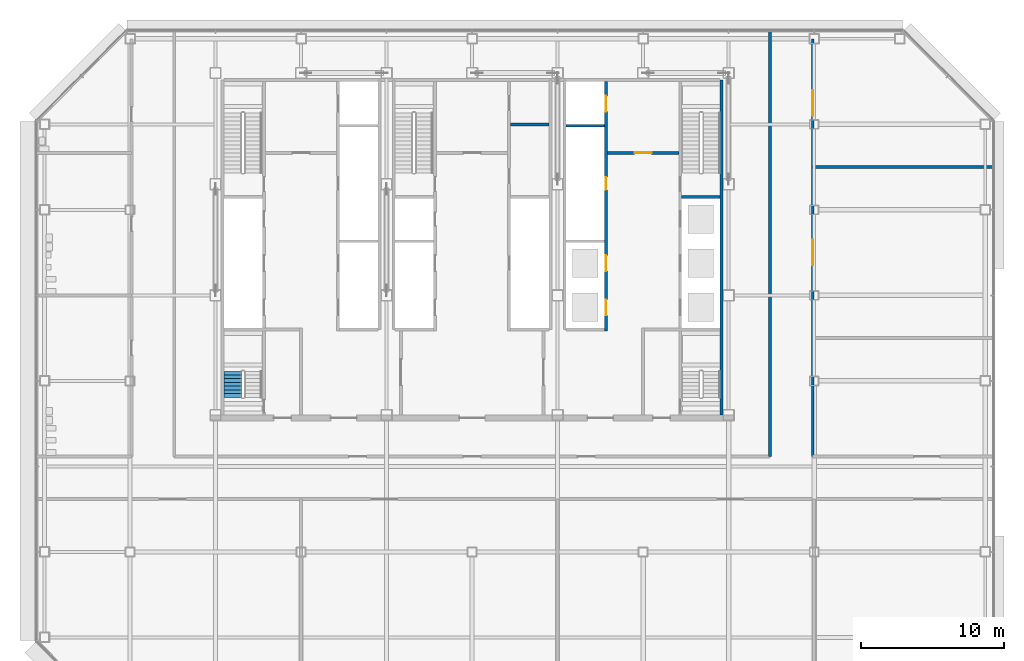
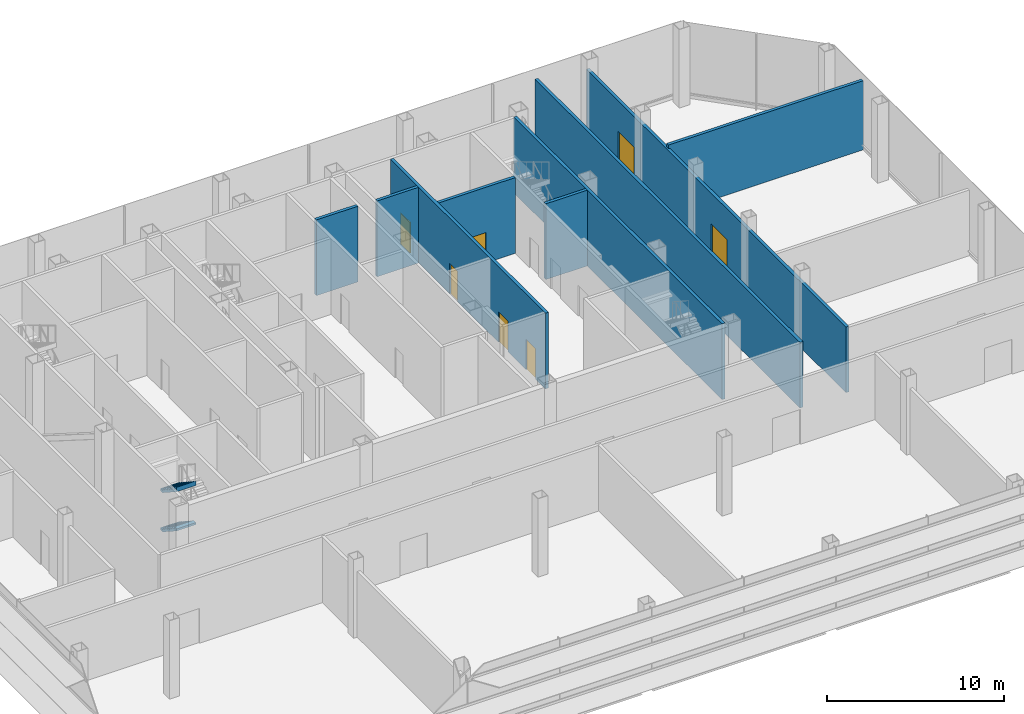
# One storey, part 18 of 24: 9 walls, 7 doors, 2 stair flights, 7 openings, 1 element without a shape of its own.
"""IFC4 building model written with IfcOpenShell, lengths in metres."""

from ifc_helpers import new_model, si_unit, direction, frame, frame_2d, origin, place, context, subcontext, project, spatial, polyline, rectangle, outline, extrude, material, layer, layer_set, type_object, element, fill, aggregate, save


model = new_model("IFC4")

# Units and contexts
model_context = context("Model", 3, precision=1e-05, world=origin(), true_north=direction((0.0, 1.0)))
body_context = subcontext(model_context, "Body", "Model", "MODEL_VIEW")
ifc_project = project(units=[si_unit("LENGTHUNIT", "METRE"), si_unit("AREAUNIT", "SQUARE_METRE"), si_unit("VOLUMEUNIT", "CUBIC_METRE"), si_unit("PLANEANGLEUNIT", "RADIAN"), si_unit("MASSUNIT", "GRAM", prefix="KILO")], contexts=[model_context])

# Site, building, storey
site_placement = place(None, origin())
site = spatial("IfcSite", under=ifc_project, at=site_placement, CompositionType="ELEMENT")
building_placement = place(site_placement, origin())
building = spatial("IfcBuilding", under=site, at=building_placement, Name="Sorahane Residences", CompositionType="ELEMENT")
storey_placement = place(building_placement, frame((0.0, 0.0, 161.800048828125)))
storey = spatial("IfcBuildingStorey", under=building, at=storey_placement, Name="L37", CompositionType="ELEMENT", Elevation=161.800048828125)

# Walls
ifc_material_1 = material(Name="Concrete C30", Category="concrete")
ifc_layer_1 = layer(ifc_material_1, 0.199951171875)
ifc_layer_set_1 = layer_set([ifc_layer_1], Name="Core face wall 200 EI 180")
wall_type_1 = type_object("IfcWallType", Name="Core face wall 200 EI 180", PredefinedType="SOLIDWALL", material=ifc_layer_set_1)
wall_1_placement = place(storey_placement, frame((41.5, 21.60009765625, 0.0), z_axis=(0.0, 0.0, 1.0), x_axis=(0.0, 1.0, 0.0)))
element("IfcWall", 1, at=wall_1_placement, inside=storey, type_object=wall_type_1, Name="L37 core face wall", PredefinedType="SOLIDWALL", context=body_context, shape_type="SweptSolid", body=[
    extrude(rectangle(XDim=23.5, YDim=0.199951171875, at=frame_2d((11.75, 0.0))), origin(), (0.0, 0.0, 1.0), 5.219970703125),
])
ifc_material_2 = material(Name="Concrete blockwork C20 wall", Category="masonry")
ifc_layer_2 = layer(ifc_material_2, 0.199951171875)
ifc_layer_set_2 = layer_set([ifc_layer_2], Name="Corridor wall 200 EI 120")
wall_type_2 = type_object("IfcWallType", Name="Corridor wall 200 EI 120", PredefinedType="SOLIDWALL", material=ifc_layer_set_2)
wall_2_placement = place(storey_placement, frame((44.89990234375, 18.699951171875, 0.0), z_axis=(0.0, 0.0, 1.0), x_axis=(0.0, 1.0, 0.0)))
element("IfcWall", 2, at=wall_2_placement, inside=storey, type_object=wall_type_2, Name="L37 corridor wall", PredefinedType="SOLIDWALL", context=body_context, shape_type="SweptSolid", body=[
    extrude(rectangle(XDim=29.900146484375, YDim=0.199951171875, at=frame_2d((14.9501953125, 0.0))), origin(), (0.0, 0.0, 1.0), 4.52001953125),
])

# Wall, openings, doors
wall_3_placement = place(storey_placement, frame((47.89990234375, 18.699951171875, 0.0), z_axis=(0.0, 0.0, 1.0), x_axis=(0.0, 1.0, 0.0)))
wall_3 = element("IfcWall", 3, at=wall_3_placement, inside=storey, type_object=wall_type_2, Name="L37 corridor wall", PredefinedType="SOLIDWALL", context=body_context, shape_type="SweptSolid", body=[
    extrude(rectangle(XDim=29.300048828125, YDim=0.199951171875, at=frame_2d((14.64990234375, 0.0))), origin(), (0.0, 0.0, 1.0), 4.52001953125),
])
opening_1_placement = place(wall_3_placement, frame((13.39990234375, 0.0, 0.0)))
opening_1 = element("IfcOpeningElement", 4, at=opening_1_placement, cuts=wall_3, Name="Opening L37-09", PredefinedType="OPENING", context=body_context, shape_type="SweptSolid", body=[
    extrude(rectangle(XDim=1.800048828125, YDim=2.39990234375, at=frame_2d((0.89990234375, 1.199951171875))), frame((0.0, 0.10986328125, 0.0), z_axis=(0.0, -1.0, 0.0), x_axis=(1.0, 0.0, 0.0)), (0.0, 0.0, 1.0), 0.219970703125),
])
opening_2_placement = place(wall_3_placement, frame((23.89990234375, 0.0, 0.0)))
opening_2 = element("IfcOpeningElement", 5, at=opening_2_placement, cuts=wall_3, Name="Opening L37-10", PredefinedType="OPENING", context=body_context, shape_type="SweptSolid", body=[
    extrude(rectangle(XDim=1.800048828125, YDim=2.39990234375, at=frame_2d((0.89990234375, 1.199951171875))), frame((0.0, 0.10986328125, 0.0), z_axis=(0.0, -1.0, 0.0), x_axis=(1.0, 0.0, 0.0)), (0.0, 0.0, 1.0), 0.219970703125),
])
ifc_material_3 = material(Name="Timber veneered fire door", Category="wood")
door_type_1 = type_object("IfcDoorType", Name="Double door 1800x2400 FD30", OperationType="NOTDEFINED", PredefinedType="DOOR", material=ifc_material_3)
door_1_placement = place(opening_1_placement, origin())
door_1 = element("IfcDoor", 6, at=door_1_placement, inside=storey, type_object=door_type_1, Name="Double door L37-09", OperationType="SINGLE_SWING_LEFT", OverallHeight=2.39990234375, OverallWidth=1.800048828125, PredefinedType="DOOR", context=body_context, shape_type="SweptSolid", body=[
    extrude(rectangle(XDim=1.800048828125, YDim=2.39990234375, at=frame_2d((0.89990234375, 1.199951171875))), frame((0.0, 0.02490234375, 0.0), z_axis=(0.0, -1.0, 0.0), x_axis=(1.0, 0.0, 0.0)), (0.0, 0.0, 1.0), 0.050048828125),
])
fill(opening_1, door_1)
door_2_placement = place(opening_2_placement, frame((1.800048828125, 0.0, 0.0), z_axis=(0.0, 0.0, 1.0), x_axis=(-1.0, 0.0, 0.0)))
door_2 = element("IfcDoor", 7, at=door_2_placement, inside=storey, type_object=door_type_1, Name="Double door L37-10", OperationType="SINGLE_SWING_RIGHT", OverallHeight=2.39990234375, OverallWidth=1.800048828125, PredefinedType="DOOR", context=body_context, shape_type="SweptSolid", body=[
    extrude(rectangle(XDim=1.800048828125, YDim=2.39990234375, at=frame_2d((0.89990234375, 1.199951171875))), frame((0.0, 0.02490234375, 0.0), z_axis=(0.0, -1.0, 0.0), x_axis=(1.0, 0.0, 0.0)), (0.0, 0.0, 1.0), 0.050048828125),
])
fill(opening_2, door_2)

# Wall
wall_4_placement = place(storey_placement, frame((47.89990234375, 39.0, 0.0), z_axis=(0.0, 0.0, 1.0), x_axis=(1.0, 0.0, 0.0)))
element("IfcWall", 8, at=wall_4_placement, inside=storey, type_object=wall_type_2, Name="L37 corridor wall", PredefinedType="SOLIDWALL", context=body_context, shape_type="SweptSolid", body=[
    extrude(rectangle(XDim=12.7001953125, YDim=0.199951171875, at=frame_2d((6.35009765625, 0.0))), origin(), (0.0, 0.0, 1.0), 4.77001953125),
])

# Wall, opening, door
ifc_material_4 = material(Name="Concrete C30", Category="concrete")
ifc_layer_3 = layer(ifc_material_4, 0.199951171875)
ifc_layer_set_3 = layer_set([ifc_layer_3], Name="Front room wall 200 EI 120")
wall_type_3 = type_object("IfcWallType", Name="Front room wall 200 EI 120", PredefinedType="PARTITIONING", material=ifc_layer_set_3)
wall_5_placement = place(storey_placement, frame((33.5, 40.0, 0.0), z_axis=(0.0, 0.0, 1.0), x_axis=(1.0, 0.0, 0.0)))
wall_5 = element("IfcWall", 9, at=wall_5_placement, inside=storey, type_object=wall_type_3, Name="L37 front room wall", PredefinedType="PARTITIONING", context=body_context, shape_type="SweptSolid", body=[
    extrude(rectangle(XDim=5.0, YDim=0.199951171875, at=frame_2d((2.5, 0.0))), origin(), (0.0, 0.0, 1.0), 5.219970703125),
])
opening_3_placement = place(wall_5_placement, frame((1.89990234375, 0.0, 0.0)))
opening_3 = element("IfcOpeningElement", 10, at=opening_3_placement, cuts=wall_5, Name="Opening L37-C10", PredefinedType="OPENING", context=body_context, shape_type="SweptSolid", body=[
    extrude(rectangle(XDim=1.199951171875, YDim=2.10009765625, at=frame_2d((0.60009765625, 1.050048828125))), frame((0.0, 0.10986328125, 0.0), z_axis=(0.0, -1.0, 0.0), x_axis=(1.0, 0.0, 0.0)), (0.0, 0.0, 1.0), 0.219970703125),
])
ifc_material_5 = material(Name="Steel", Category="steel")
door_type_2 = type_object("IfcDoorType", Name="Front room door 1200x2100 FD120", OperationType="NOTDEFINED", PredefinedType="DOOR", material=ifc_material_5)
door_3_placement = place(opening_3_placement, frame((1.199951171875, 0.0, 0.0), z_axis=(0.0, 0.0, 1.0), x_axis=(-1.0, 0.0, 0.0)))
door_3 = element("IfcDoor", 11, at=door_3_placement, inside=storey, type_object=door_type_2, Name="Front room door Firefighting lobby FF2 front room L37", OperationType="DOUBLE_DOOR_SINGLE_SWING", OverallHeight=2.10009765625, OverallWidth=1.199951171875, PredefinedType="DOOR", context=body_context, shape_type="SweptSolid", body=[
    extrude(rectangle(XDim=1.199951171875, YDim=2.10009765625, at=frame_2d((0.60009765625, 1.050048828125))), frame((0.0, 0.02490234375, 0.0), z_axis=(0.0, -1.0, 0.0), x_axis=(1.0, 0.0, 0.0)), (0.0, 0.0, 1.0), 0.050048828125),
])
fill(opening_3, door_3)

# Wall, openings, doors
ifc_material_6 = material(Name="Concrete C30", Category="concrete")
ifc_layer_4 = layer(ifc_material_6, 0.199951171875)
ifc_layer_set_4 = layer_set([ifc_layer_4], Name="Lift shaft wall 200 EI 120")
wall_type_4 = type_object("IfcWallType", Name="Lift shaft wall 200 EI 120", PredefinedType="SOLIDWALL", material=ifc_layer_set_4)
wall_6_placement = place(storey_placement, frame((33.39990234375, 27.5, 0.0), z_axis=(0.0, 0.0, 1.0), x_axis=(0.0, 1.0, 0.0)))
wall_6 = element("IfcWall", 12, at=wall_6_placement, inside=storey, type_object=wall_type_4, Name="L37 lift shaft wall", PredefinedType="SOLIDWALL", context=body_context, shape_type="SweptSolid", body=[
    extrude(rectangle(XDim=17.5, YDim=0.199951171875, at=frame_2d((8.75, 0.0))), origin(), (0.0, 0.0, 1.0), 5.219970703125),
])
opening_4_placement = place(wall_6_placement, frame((1.10009765625, 0.0, 0.0)))
opening_4 = element("IfcOpeningElement", 13, at=opening_4_placement, cuts=wall_6, Name="Opening L37-C16", PredefinedType="OPENING", context=body_context, shape_type="SweptSolid", body=[
    extrude(rectangle(XDim=1.10009765625, YDim=2.10009765625, at=frame_2d((0.550048828125, 1.050048828125))), frame((0.0, 0.10986328125, 0.0), z_axis=(0.0, -1.0, 0.0), x_axis=(1.0, 0.0, 0.0)), (0.0, 0.0, 1.0), 0.219970703125),
])
opening_5_placement = place(wall_6_placement, frame((4.199951171875, 0.0, 0.0)))
opening_5 = element("IfcOpeningElement", 14, at=opening_5_placement, cuts=wall_6, Name="Opening L37-C17", PredefinedType="OPENING", context=body_context, shape_type="SweptSolid", body=[
    extrude(rectangle(XDim=1.10009765625, YDim=2.10009765625, at=frame_2d((0.550048828125, 1.050048828125))), frame((0.0, 0.10986328125, 0.0), z_axis=(0.0, -1.0, 0.0), x_axis=(1.0, 0.0, 0.0)), (0.0, 0.0, 1.0), 0.219970703125),
])
opening_6_placement = place(wall_6_placement, frame((15.39990234375, 0.0, 0.0)))
opening_6 = element("IfcOpeningElement", 15, at=opening_6_placement, cuts=wall_6, Name="Opening L37-C18", PredefinedType="OPENING", context=body_context, shape_type="SweptSolid", body=[
    extrude(rectangle(XDim=1.10009765625, YDim=2.10009765625, at=frame_2d((0.550048828125, 1.050048828125))), frame((0.0, 0.10986328125, 0.0), z_axis=(0.0, -1.0, 0.0), x_axis=(1.0, 0.0, 0.0)), (0.0, 0.0, 1.0), 0.219970703125),
])
opening_7_placement = place(wall_6_placement, frame((9.89990234375, 0.0, 0.0)))
opening_7 = element("IfcOpeningElement", 16, at=opening_7_placement, cuts=wall_6, Name="Opening L37-C31", PredefinedType="OPENING", context=body_context, shape_type="SweptSolid", body=[
    extrude(rectangle(XDim=0.89990234375, YDim=2.10009765625, at=frame_2d((0.449951171875, 1.050048828125))), frame((0.0, 0.10986328125, 0.0), z_axis=(0.0, -1.0, 0.0), x_axis=(1.0, 0.0, 0.0)), (0.0, 0.0, 1.0), 0.219970703125),
])
ifc_material_7 = material(Name="Aluminium and stainless steel", Category="steel")
door_type_3 = type_object("IfcDoorType", Name="Lift landing door 1100x2100 E 60", OperationType="NOTDEFINED", PredefinedType="DOOR", material=ifc_material_7)
door_4_placement = place(opening_4_placement, origin())
door_4 = element("IfcDoor", 17, at=door_4_placement, inside=storey, type_object=door_type_3, Name="Lift landing door HR4 L37", OperationType="DOUBLE_DOOR_SLIDING", OverallHeight=2.10009765625, OverallWidth=1.10009765625, PredefinedType="DOOR", context=body_context, shape_type="SweptSolid", body=[
    extrude(rectangle(XDim=1.10009765625, YDim=2.10009765625, at=frame_2d((0.550048828125, 1.050048828125))), frame((0.0, 0.02490234375, 0.0), z_axis=(0.0, -1.0, 0.0), x_axis=(1.0, 0.0, 0.0)), (0.0, 0.0, 1.0), 0.050048828125),
])
fill(opening_4, door_4)
door_5_placement = place(opening_5_placement, origin())
door_5 = element("IfcDoor", 18, at=door_5_placement, inside=storey, type_object=door_type_3, Name="Lift landing door HR5 L37", OperationType="DOUBLE_DOOR_SLIDING", OverallHeight=2.10009765625, OverallWidth=1.10009765625, PredefinedType="DOOR", context=body_context, shape_type="SweptSolid", body=[
    extrude(rectangle(XDim=1.10009765625, YDim=2.10009765625, at=frame_2d((0.550048828125, 1.050048828125))), frame((0.0, 0.02490234375, 0.0), z_axis=(0.0, -1.0, 0.0), x_axis=(1.0, 0.0, 0.0)), (0.0, 0.0, 1.0), 0.050048828125),
])
fill(opening_5, door_5)
door_6_placement = place(opening_6_placement, origin())
door_6 = element("IfcDoor", 19, at=door_6_placement, inside=storey, type_object=door_type_3, Name="Lift landing door FF2 L37", OperationType="DOUBLE_DOOR_SLIDING", OverallHeight=2.10009765625, OverallWidth=1.10009765625, PredefinedType="DOOR", context=body_context, shape_type="SweptSolid", body=[
    extrude(rectangle(XDim=1.10009765625, YDim=2.10009765625, at=frame_2d((0.550048828125, 1.050048828125))), frame((0.0, 0.02490234375, 0.0), z_axis=(0.0, -1.0, 0.0), x_axis=(1.0, 0.0, 0.0)), (0.0, 0.0, 1.0), 0.050048828125),
])
fill(opening_6, door_6)
ifc_material_8 = material(Name="Steel", Category="steel")
door_type_4 = type_object("IfcDoorType", Name="Riser door 900x2100 FD120", OperationType="NOTDEFINED", PredefinedType="DOOR", material=ifc_material_8)
door_7_placement = place(opening_7_placement, frame((0.89990234375, 0.0, 0.0), z_axis=(0.0, 0.0, 1.0), x_axis=(-1.0, 0.0, 0.0)))
door_7 = element("IfcDoor", 20, at=door_7_placement, inside=storey, type_object=door_type_4, Name="Riser door R2 L37", OperationType="SINGLE_SWING_LEFT", OverallHeight=2.10009765625, OverallWidth=0.89990234375, PredefinedType="DOOR", context=body_context, shape_type="SweptSolid", body=[
    extrude(rectangle(XDim=0.89990234375, YDim=2.10009765625, at=frame_2d((0.449951171875, 1.050048828125))), frame((0.0, 0.02490234375, 0.0), z_axis=(0.0, -1.0, 0.0), x_axis=(1.0, 0.0, 0.0)), (0.0, 0.0, 1.0), 0.050048828125),
])
fill(opening_7, door_7)

# Walls
wall_7_placement = place(storey_placement, frame((30.60009765625, 41.89990234375, 0.0), z_axis=(0.0, 0.0, 1.0), x_axis=(1.0, 0.0, 0.0)))
element("IfcWall", 21, at=wall_7_placement, inside=storey, type_object=wall_type_4, Name="L37 lift shaft wall", PredefinedType="SOLIDWALL", context=body_context, shape_type="SweptSolid", body=[
    extrude(rectangle(XDim=2.699951171875, YDim=0.199951171875, at=frame_2d((1.35009765625, 0.0))), origin(), (0.0, 0.0, 1.0), 5.219970703125),
])
ifc_material_9 = material(Name="Concrete C30", Category="concrete")
ifc_layer_5 = layer(ifc_material_9, 0.199951171875)
ifc_layer_set_5 = layer_set([ifc_layer_5], Name="Service room partition 200 EI 60")
wall_type_5 = type_object("IfcWallType", Name="Service room partition 200 EI 60", PredefinedType="PARTITIONING", material=ifc_layer_set_5)
wall_8_placement = place(storey_placement, frame((26.699951171875, 42.0, 0.0), z_axis=(0.0, 0.0, 1.0), x_axis=(1.0, 0.0, 0.0)))
element("IfcWall", 22, at=wall_8_placement, inside=storey, type_object=wall_type_5, Name="L37 service room wall", PredefinedType="PARTITIONING", context=body_context, shape_type="SweptSolid", body=[
    extrude(rectangle(XDim=2.699951171875, YDim=0.199951171875, at=frame_2d((1.35009765625, 0.0))), origin(), (0.0, 0.0, 1.0), 5.219970703125),
])
ifc_material_10 = material(Name="Concrete C30", Category="concrete")
ifc_layer_6 = layer(ifc_material_10, 0.199951171875)
ifc_layer_set_6 = layer_set([ifc_layer_6], Name="Stair enclosure wall 200 EI 120")
wall_type_6 = type_object("IfcWallType", Name="Stair enclosure wall 200 EI 120", PredefinedType="SOLIDWALL", material=ifc_layer_set_6)
wall_9_placement = place(storey_placement, frame((38.699951171875, 36.89990234375, 0.0), z_axis=(0.0, 0.0, 1.0), x_axis=(1.0, 0.0, 0.0)))
element("IfcWall", 23, at=wall_9_placement, inside=storey, type_object=wall_type_6, Name="L37 stair enclosure wall", PredefinedType="SOLIDWALL", context=body_context, shape_type="SweptSolid", body=[
    extrude(rectangle(XDim=2.699951171875, YDim=0.199951171875, at=frame_2d((1.35009765625, 0.0))), origin(), (0.0, 0.0, 1.0), 5.219970703125),
])

# Stair, stair flights
ifc_material_11 = material(Name="Concrete C40", Category="concrete")
stair_type = type_object("IfcStairType", Name="Dog-leg stair 1250 Concrete C40", PredefinedType="HALF_TURN_STAIR", material=ifc_material_11)
stair_placement = place(storey_placement, origin())
stair = element("IfcStair", 24, at=stair_placement, inside=storey, type_object=stair_type, Name="L37 Stair S4", PredefinedType="HALF_TURN_STAIR")
ifc_material_12 = material(Name="Concrete C40", Category="concrete")
stair_flight_type = type_object("IfcStairFlightType", Name="Stair flight 1250 Concrete C40", PredefinedType="STRAIGHT", material=ifc_material_12)
stair_flight_1_placement = place(storey_placement, frame((7.22509765625, 24.669921875, 1.349853515625), z_axis=(0.0, 0.0, 1.0), x_axis=(0.0, -1.0, 0.0)))
stair_flight_1 = element("IfcStairFlight", 25, at=stair_flight_1_placement, type_object=stair_flight_type, Name="S4 flight 2", NumberOfRisers=8, NumberOfTreads=7, PredefinedType="STRAIGHT", RiserHeight=0.16875, TreadLength=0.26, context=body_context, shape_type="SweptSolid", body=[
    extrude(outline(polyline([(0.0, 0.0), (0.0, 0.002197265625), (0.0, 0.004150390625), (0.0, 0.00634765625), (0.0, 0.00830078125), (0.0, 0.010498046875), (0.0, 0.012451171875), (0.0, 0.0146484375), (0.0, 0.0166015625), (0.0, 0.018798828125), (0.0, 0.020751953125), (0.0, 0.02294921875), (0.0, 0.02490234375), (0.0, 0.027099609375), (0.0, 0.029052734375), (0.0, 0.03125), (0.0, 0.033447265625), (0.0, 0.035400390625), (0.0, 0.03759765625), (0.0, 0.03955078125), (0.0, 0.041748046875), (0.0, 0.043701171875), (0.0, 0.0458984375), (0.0, 0.0478515625), (0.0, 0.050048828125), (0.0, 0.052001953125), (0.0, 0.05419921875), (0.0, 0.05615234375), (0.0, 0.058349609375), (0.0, 0.060302734375), (0.0, 0.0625), (0.0, 0.064697265625), (0.0, 0.066650390625), (0.0, 0.06884765625), (0.0, 0.07080078125), (0.0, 0.072998046875), (0.0, 0.074951171875), (0.0, 0.0771484375), (0.0, 0.0791015625), (0.0, 0.081298828125), (0.0, 0.083251953125), (0.0, 0.08544921875), (0.0, 0.08740234375), (0.0, 0.089599609375), (0.0, 0.091552734375), (0.0, 0.09375), (0.0, 0.095947265625), (0.0, 0.097900390625), (0.0, 0.10009765625), (0.0, 0.10205078125), (0.0, 0.104248046875), (0.0, 0.106201171875), (0.0, 0.1083984375), (0.0, 0.1103515625), (0.0, 0.112548828125), (0.0, 0.114501953125), (0.0, 0.11669921875), (0.0, 0.11865234375), (0.0, 0.120849609375), (0.0, 0.122802734375), (0.0, 0.125), (0.0, 0.127197265625), (0.0, 0.129150390625), (0.0, 0.13134765625), (0.0, 0.13330078125), (0.0, 0.135498046875), (0.0, 0.137451171875), (0.0, 0.1396484375), (0.0, 0.1416015625), (0.0, 0.143798828125), (0.0, 0.145751953125), (0.0, 0.14794921875), (0.0, 0.14990234375), (0.0, 0.152099609375), (0.0, 0.154052734375), (0.0, 0.15625), (0.0, 0.158447265625), (0.0, 0.160400390625), (0.0, 0.16259765625), (0.0, 0.16455078125), (0.0, 0.166748046875), (0.0, 0.168701171875), (0.260009765625, 0.168701171875), (0.260009765625, 0.33740234375), (0.52001953125, 0.33740234375), (0.52001953125, 0.50634765625), (0.780029296875, 0.50634765625), (0.780029296875, 0.675048828125), (1.0400390625, 0.675048828125), (1.0400390625, 0.84375), (1.300048828125, 0.84375), (1.300048828125, 1.012451171875), (1.56005859375, 1.012451171875), (1.56005859375, 1.18115234375), (1.820068359375, 1.18115234375), (1.820068359375, 1.35009765625), (1.820068359375, 1.34619140625), (1.820068359375, 1.34228515625), (1.820068359375, 1.33837890625), (1.820068359375, 1.334716796875), (1.820068359375, 1.330810546875), (1.820068359375, 1.326904296875), (1.820068359375, 1.322998046875), (1.820068359375, 1.319091796875), (1.820068359375, 1.3154296875), (1.820068359375, 1.3115234375), (1.820068359375, 1.3076171875), (1.820068359375, 1.3037109375), (1.820068359375, 1.300048828125), (1.820068359375, 1.296142578125), (1.820068359375, 1.292236328125), (1.820068359375, 1.288330078125), (1.820068359375, 1.284423828125), (1.820068359375, 1.28076171875), (1.820068359375, 1.27685546875), (1.820068359375, 1.27294921875), (1.820068359375, 1.26904296875), (1.820068359375, 1.265380859375), (1.820068359375, 1.261474609375), (1.820068359375, 1.257568359375), (1.820068359375, 1.253662109375), (1.820068359375, 1.249755859375), (1.820068359375, 1.24609375), (1.820068359375, 1.2421875), (1.820068359375, 1.23828125), (1.820068359375, 1.234375), (1.820068359375, 1.230712890625), (1.820068359375, 1.226806640625), (1.820068359375, 1.222900390625), (1.820068359375, 1.218994140625), (1.820068359375, 1.215087890625), (1.820068359375, 1.21142578125), (1.820068359375, 1.20751953125), (1.820068359375, 1.20361328125), (1.820068359375, 1.19970703125), (1.820068359375, 1.196044921875), (1.820068359375, 1.192138671875), (1.820068359375, 1.188232421875), (1.820068359375, 1.184326171875), (1.820068359375, 1.1806640625), (1.820068359375, 1.1767578125), (1.820068359375, 1.1728515625), (1.820068359375, 1.1689453125), (1.820068359375, 1.1650390625), (1.820068359375, 1.161376953125), (1.820068359375, 1.157470703125), (1.820068359375, 1.153564453125), (1.820068359375, 1.149658203125), (1.820068359375, 1.14599609375), (1.820068359375, 1.14208984375), (1.820068359375, 1.13818359375), (1.820068359375, 1.13427734375), (1.820068359375, 1.13037109375), (1.820068359375, 1.126708984375), (1.820068359375, 1.122802734375), (1.820068359375, 1.118896484375), (1.820068359375, 1.114990234375), (1.820068359375, 1.111328125), (1.820068359375, 1.107421875), (1.820068359375, 1.103515625), (1.820068359375, 1.099609375), (1.820068359375, 1.095703125), (1.820068359375, 1.092041015625), (1.820068359375, 1.088134765625), (1.820068359375, 1.084228515625), (1.820068359375, 1.080322265625), (1.820068359375, 1.07666015625), (1.820068359375, 1.07275390625), (1.820068359375, 1.06884765625), (1.820068359375, 1.06494140625), (1.820068359375, 1.061279296875), (1.820068359375, 1.057373046875), (1.820068359375, 1.053466796875), (1.820068359375, 1.049560546875), (1.820068359375, 1.045654296875), (1.820068359375, 1.0419921875), (1.820068359375, 1.0380859375), (1.6201171875, 0.908203125), (1.420166015625, 0.778564453125), (1.22021484375, 0.648681640625), (1.020263671875, 0.51904296875), (0.8203125, 0.38916015625), (0.620361328125, 0.259521484375), (0.420654296875, 0.129638671875), (0.220703125, 0.0), (0.0, 0.0)])), frame((0.0, 0.625, 0.0), z_axis=(0.0, -1.0, 0.0), x_axis=(1.0, 0.0, 0.0)), (0.0, 0.0, 1.0), 1.25),
])
stair_flight_2_placement = place(storey_placement, frame((7.22509765625, 24.669921875, 4.050048828125), z_axis=(0.0, 0.0, 1.0), x_axis=(0.0, -1.0, 0.0)))
stair_flight_2 = element("IfcStairFlight", 26, at=stair_flight_2_placement, type_object=stair_flight_type, Name="S4 flight 4", NumberOfRisers=8, NumberOfTreads=7, PredefinedType="STRAIGHT", RiserHeight=0.16875, TreadLength=0.26, context=body_context, shape_type="SweptSolid", body=[
    extrude(outline(polyline([(0.0, 0.0), (0.0, 0.002197265625), (0.0, 0.004150390625), (0.0, 0.00634765625), (0.0, 0.00830078125), (0.0, 0.010498046875), (0.0, 0.012451171875), (0.0, 0.0146484375), (0.0, 0.0166015625), (0.0, 0.018798828125), (0.0, 0.020751953125), (0.0, 0.02294921875), (0.0, 0.02490234375), (0.0, 0.027099609375), (0.0, 0.029052734375), (0.0, 0.03125), (0.0, 0.033447265625), (0.0, 0.035400390625), (0.0, 0.03759765625), (0.0, 0.03955078125), (0.0, 0.041748046875), (0.0, 0.043701171875), (0.0, 0.0458984375), (0.0, 0.0478515625), (0.0, 0.050048828125), (0.0, 0.052001953125), (0.0, 0.05419921875), (0.0, 0.05615234375), (0.0, 0.058349609375), (0.0, 0.060302734375), (0.0, 0.0625), (0.0, 0.064697265625), (0.0, 0.066650390625), (0.0, 0.06884765625), (0.0, 0.07080078125), (0.0, 0.072998046875), (0.0, 0.074951171875), (0.0, 0.0771484375), (0.0, 0.0791015625), (0.0, 0.081298828125), (0.0, 0.083251953125), (0.0, 0.08544921875), (0.0, 0.08740234375), (0.0, 0.089599609375), (0.0, 0.091552734375), (0.0, 0.09375), (0.0, 0.095947265625), (0.0, 0.097900390625), (0.0, 0.10009765625), (0.0, 0.10205078125), (0.0, 0.104248046875), (0.0, 0.106201171875), (0.0, 0.1083984375), (0.0, 0.1103515625), (0.0, 0.112548828125), (0.0, 0.114501953125), (0.0, 0.11669921875), (0.0, 0.11865234375), (0.0, 0.120849609375), (0.0, 0.122802734375), (0.0, 0.125), (0.0, 0.127197265625), (0.0, 0.129150390625), (0.0, 0.13134765625), (0.0, 0.13330078125), (0.0, 0.135498046875), (0.0, 0.137451171875), (0.0, 0.1396484375), (0.0, 0.1416015625), (0.0, 0.143798828125), (0.0, 0.145751953125), (0.0, 0.14794921875), (0.0, 0.14990234375), (0.0, 0.152099609375), (0.0, 0.154052734375), (0.0, 0.15625), (0.0, 0.158447265625), (0.0, 0.160400390625), (0.0, 0.16259765625), (0.0, 0.16455078125), (0.0, 0.166748046875), (0.0, 0.168701171875), (0.260009765625, 0.168701171875), (0.260009765625, 0.33740234375), (0.52001953125, 0.33740234375), (0.52001953125, 0.50634765625), (0.780029296875, 0.50634765625), (0.780029296875, 0.675048828125), (1.0400390625, 0.675048828125), (1.0400390625, 0.84375), (1.300048828125, 0.84375), (1.300048828125, 1.012451171875), (1.56005859375, 1.012451171875), (1.56005859375, 1.18115234375), (1.820068359375, 1.18115234375), (1.820068359375, 1.35009765625), (1.821533203125, 1.35009765625), (1.821533203125, 1.34619140625), (1.821533203125, 1.34228515625), (1.821533203125, 1.33837890625), (1.821533203125, 1.334716796875), (1.821533203125, 1.330810546875), (1.821533203125, 1.326904296875), (1.821533203125, 1.322998046875), (1.821533203125, 1.319091796875), (1.821533203125, 1.3154296875), (1.821533203125, 1.3115234375), (1.821533203125, 1.3076171875), (1.821533203125, 1.3037109375), (1.821533203125, 1.300048828125), (1.821533203125, 1.296142578125), (1.821533203125, 1.292236328125), (1.821533203125, 1.288330078125), (1.821533203125, 1.284423828125), (1.821533203125, 1.28076171875), (1.821533203125, 1.27685546875), (1.821533203125, 1.27294921875), (1.821533203125, 1.26904296875), (1.821533203125, 1.265380859375), (1.821533203125, 1.261474609375), (1.821533203125, 1.257568359375), (1.821533203125, 1.253662109375), (1.821533203125, 1.249755859375), (1.821533203125, 1.24609375), (1.821533203125, 1.2421875), (1.821533203125, 1.23828125), (1.821533203125, 1.234375), (1.821533203125, 1.230712890625), (1.821533203125, 1.226806640625), (1.821533203125, 1.222900390625), (1.821533203125, 1.218994140625), (1.821533203125, 1.215087890625), (1.821533203125, 1.21142578125), (1.821533203125, 1.20751953125), (1.821533203125, 1.20361328125), (1.821533203125, 1.19970703125), (1.821533203125, 1.196044921875), (1.821533203125, 1.192138671875), (1.821533203125, 1.188232421875), (1.821533203125, 1.184326171875), (1.821533203125, 1.1806640625), (1.821533203125, 1.1767578125), (1.821533203125, 1.1728515625), (1.821533203125, 1.1689453125), (1.821533203125, 1.1650390625), (1.821533203125, 1.161376953125), (1.821533203125, 1.157470703125), (1.821533203125, 1.153564453125), (1.821533203125, 1.149658203125), (1.821533203125, 1.14599609375), (1.821533203125, 1.14208984375), (1.821533203125, 1.13818359375), (1.821533203125, 1.13427734375), (1.821533203125, 1.13037109375), (1.821533203125, 1.126708984375), (1.821533203125, 1.122802734375), (1.821533203125, 1.118896484375), (1.821533203125, 1.114990234375), (1.821533203125, 1.111328125), (1.821533203125, 1.107421875), (1.821533203125, 1.103515625), (1.821533203125, 1.099609375), (1.821533203125, 1.095703125), (1.821533203125, 1.092041015625), (1.821533203125, 1.088134765625), (1.821533203125, 1.084228515625), (1.821533203125, 1.080322265625), (1.821533203125, 1.07666015625), (1.821533203125, 1.07275390625), (1.821533203125, 1.06884765625), (1.821533203125, 1.06494140625), (1.821533203125, 1.061279296875), (1.821533203125, 1.057373046875), (1.821533203125, 1.053466796875), (1.821533203125, 1.049560546875), (1.821533203125, 1.045654296875), (1.821533203125, 1.0419921875), (1.821533203125, 1.0380859375), (1.6435546875, 0.922607421875), (1.4658203125, 0.807373046875), (1.287841796875, 0.692138671875), (1.110107421875, 0.57666015625), (0.93212890625, 0.46142578125), (0.754150390625, 0.345947265625), (0.576416015625, 0.230712890625), (0.3984375, 0.115234375), (0.220703125, 0.0), (0.0, 0.0)])), frame((0.0, 0.625, 0.0), z_axis=(0.0, -1.0, 0.0), x_axis=(1.0, 0.0, 0.0)), (0.0, 0.0, 1.0), 1.25),
])
aggregate(stair, [stair_flight_1, stair_flight_2])

save(model, "model.ifc")
